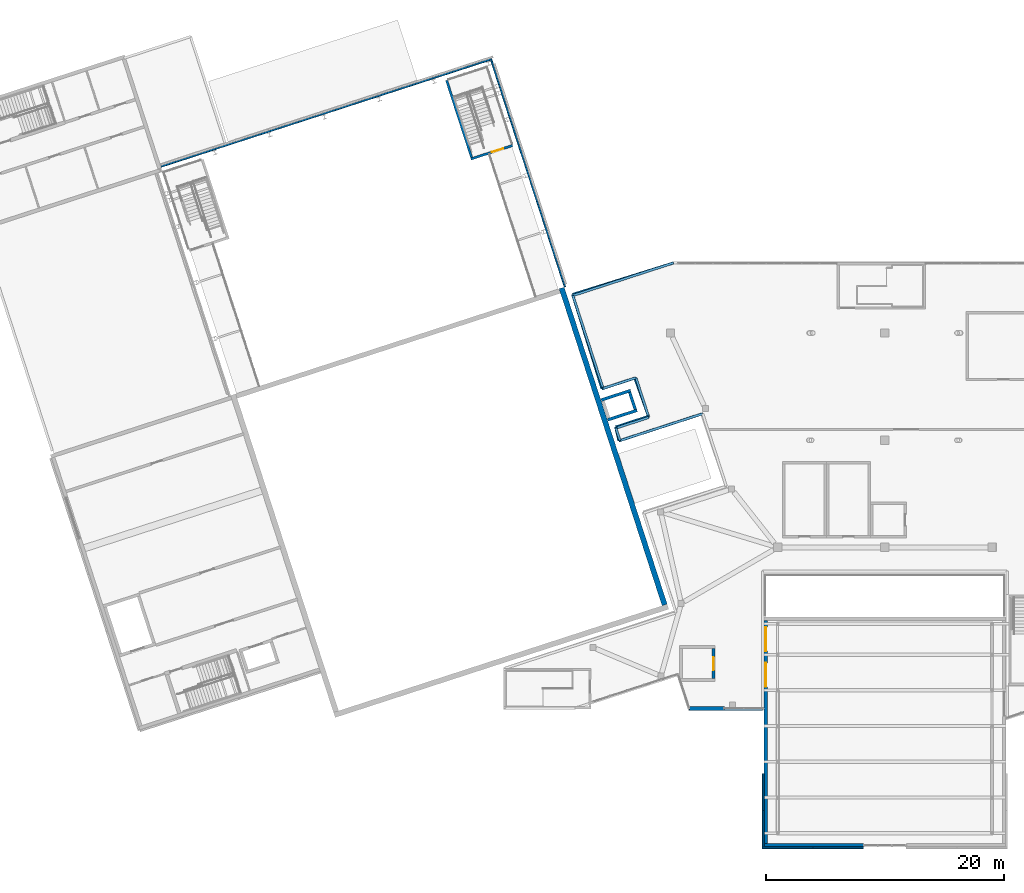
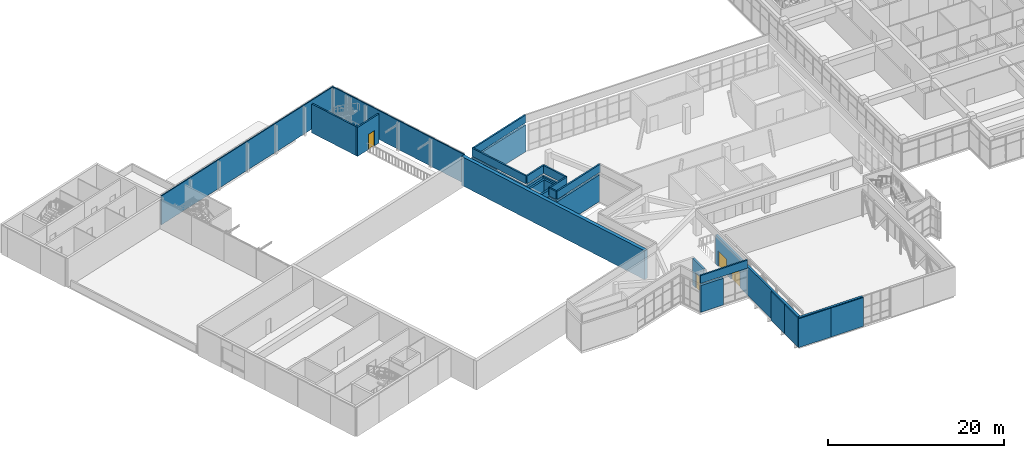
# One storey, part 62 of 72: 31 walls, 4 doors, 4 openings.
"""IFC4 building model written with IfcOpenShell, lengths in metres."""

from ifc_helpers import new_model, si_unit, direction, frame, frame_2d, origin, place, context, subcontext, project, spatial, rectangle, extrude, material, layer, layer_set, type_object, element, fill, save


model = new_model("IFC4")

# Units and contexts
model_context = context("Model", 3, precision=1e-05, world=origin(), true_north=direction((0.0, 1.0)))
body_context = subcontext(model_context, "Body", "Model", "MODEL_VIEW")
ifc_project = project(units=[si_unit("LENGTHUNIT", "METRE"), si_unit("AREAUNIT", "SQUARE_METRE"), si_unit("VOLUMEUNIT", "CUBIC_METRE"), si_unit("PLANEANGLEUNIT", "RADIAN"), si_unit("MASSUNIT", "GRAM", prefix="KILO")], contexts=[model_context])

# Site, building, storey
site_placement = place(None, origin())
site = spatial("IfcSite", under=ifc_project, at=site_placement, CompositionType="ELEMENT")
building_placement = place(site_placement, origin())
building = spatial("IfcBuilding", under=site, at=building_placement, Name="Tuart Plaza Theatre", CompositionType="ELEMENT")
storey_placement = place(building_placement, frame((0.0, 0.0, 13.5)))
storey = spatial("IfcBuildingStorey", under=building, at=storey_placement, Name="L03", CompositionType="ELEMENT", Elevation=13.5)

# Walls
ifc_material_1 = material(Name="Concrete N40 (40 MPa)", Category="concrete")
ifc_layer_1 = layer(ifc_material_1, 0.199951171875)
ifc_layer_set_1 = layer_set([ifc_layer_1], Name="PARAPET RC200 EXT")
wall_type_1 = type_object("IfcWallType", Name="PARAPET RC200 EXT", PredefinedType="PARAPET", material=ifc_layer_set_1)
wall_1_placement = place(storey_placement, frame((85.72998046875, 42.427978515625, 4.0), z_axis=(0.0, 0.0, 1.0), x_axis=(-1.0, 0.0, 0.0)))
element("IfcWall", 1, at=wall_1_placement, inside=storey, type_object=wall_type_1, Name="P58", PredefinedType="PARAPET", context=body_context, shape_type="SweptSolid", body=[
    extrude(rectangle(XDim=6.1708984375, YDim=0.199951171875, at=frame_2d((3.08544921875, 0.0))), origin(), (0.0, 0.0, 1.0), 1.10009765625),
])
wall_2_placement = place(storey_placement, frame((80.708251953125, 67.223876953125, 4.0), z_axis=(0.0, 0.0, 1.0), x_axis=(-0.951053974497, -0.309024817117, 0.0)))
element("IfcWall", 2, at=wall_2_placement, inside=storey, type_object=wall_type_1, Name="P67", PredefinedType="PARAPET", context=body_context, shape_type="SweptSolid", body=[
    extrude(rectangle(XDim=7.300048828125, YDim=0.199951171875, at=frame_2d((3.64990234375, 0.0))), origin(), (0.0, 0.0, 1.0), 1.10009765625),
])
wall_3_placement = place(storey_placement, frame((73.765625, 64.968017578125, 4.0), z_axis=(0.0, 0.0, 1.0), x_axis=(-0.308895393673, 0.951096018164, 0.0)))
element("IfcWall", 3, at=wall_3_placement, inside=storey, type_object=wall_type_1, Name="P68", PredefinedType="PARAPET", context=body_context, shape_type="SweptSolid", body=[
    extrude(rectangle(XDim=1.10009765625, YDim=0.199951171875, at=frame_2d((0.550048828125, 0.0))), origin(), (0.0, 0.0, 1.0), 1.10009765625),
])
wall_4_placement = place(storey_placement, frame((73.42578125, 66.014404296875, 4.0), z_axis=(0.0, 0.0, 1.0), x_axis=(0.951071801089, 0.308969948659, 0.0)))
element("IfcWall", 4, at=wall_4_placement, inside=storey, type_object=wall_type_1, Name="P69", PredefinedType="PARAPET", context=body_context, shape_type="SweptSolid", body=[
    extrude(rectangle(XDim=2.89990234375, YDim=0.199951171875, at=frame_2d((1.449951171875, 0.0))), origin(), (0.0, 0.0, 1.0), 1.10009765625),
])
wall_5_placement = place(storey_placement, frame((76.183837890625, 66.910400390625, 4.0), z_axis=(0.0, 0.0, 1.0), x_axis=(-0.309019824916, 0.951055596592, 0.0)))
element("IfcWall", 5, at=wall_5_placement, inside=storey, type_object=wall_type_1, Name="P70", PredefinedType="PARAPET", context=body_context, shape_type="SweptSolid", body=[
    extrude(rectangle(XDim=3.5, YDim=0.199951171875, at=frame_2d((1.75, 0.0))), origin(), (0.0, 0.0, 1.0), 1.10009765625),
])
wall_6_placement = place(storey_placement, frame((75.102294921875, 70.239013671875, 4.0), z_axis=(0.0, 0.0, 1.0), x_axis=(-0.951071801089, -0.308969948659, 0.0)))
element("IfcWall", 6, at=wall_6_placement, inside=storey, type_object=wall_type_1, Name="P71", PredefinedType="PARAPET", context=body_context, shape_type="SweptSolid", body=[
    extrude(rectangle(XDim=2.89990234375, YDim=0.199951171875, at=frame_2d((1.449951171875, 0.0))), origin(), (0.0, 0.0, 1.0), 1.10009765625),
])
wall_7_placement = place(storey_placement, frame((72.34423828125, 69.343017578125, 4.0), z_axis=(0.0, 0.0, 1.0), x_axis=(-0.309019421968, 0.951055727519, 0.0)))
element("IfcWall", 7, at=wall_7_placement, inside=storey, type_object=wall_type_1, Name="P72", PredefinedType="PARAPET", context=body_context, shape_type="SweptSolid", body=[
    extrude(rectangle(XDim=8.199951171875, YDim=0.199951171875, at=frame_2d((4.10009765625, 0.0))), origin(), (0.0, 0.0, 1.0), 1.10009765625),
])
wall_8_placement = place(storey_placement, frame((69.810302734375, 77.1416015625, 4.0), z_axis=(0.0, 0.0, 1.0), x_axis=(0.951055069375, 0.309021447501, 0.0)))
element("IfcWall", 8, at=wall_8_placement, inside=storey, type_object=wall_type_1, Name="P73", PredefinedType="PARAPET", context=body_context, shape_type="SweptSolid", body=[
    extrude(rectangle(XDim=8.884033203125, YDim=0.199951171875, at=frame_2d((4.44189453125, 0.0))), origin(), (0.0, 0.0, 1.0), 1.10009765625),
])
ifc_material_2 = material(Name="Concrete N40 (40 MPa)", Category="concrete")
ifc_layer_2 = layer(ifc_material_2, 0.25)
ifc_layer_set_2 = layer_set([ifc_layer_2], Name="SHEAR WALL RC250 FRL 120/120/120")
wall_type_2 = type_object("IfcWallType", Name="SHEAR WALL RC250 FRL 120/120/120", PredefinedType="SHEAR", material=ifc_layer_set_2)
wall_9_placement = place(storey_placement, frame((72.727294921875, 66.70751953125, 0.0), z_axis=(0.0, 0.0, 1.0), x_axis=(0.951087187149, 0.308922583248, 0.0)))
element("IfcWall", 9, at=wall_9_placement, inside=storey, type_object=wall_type_2, Name="W240", PredefinedType="SHEAR", context=body_context, shape_type="SweptSolid", body=[
    extrude(rectangle(XDim=2.60009765625, YDim=0.25, at=frame_2d((1.300048828125, 0.0))), origin(), (0.0, 0.0, 1.0), 4.0),
])
wall_10_placement = place(storey_placement, frame((75.04248046875, 67.591064453125, 0.0), z_axis=(0.0, 0.0, 1.0), x_axis=(-0.308942527062, 0.951080708969, 0.0)))
element("IfcWall", 10, at=wall_10_placement, inside=storey, type_object=wall_type_2, Name="W241", PredefinedType="SHEAR", context=body_context, shape_type="SweptSolid", body=[
    extrude(rectangle(XDim=1.5, YDim=0.25, at=frame_2d((0.75, 0.0))), origin(), (0.0, 0.0, 1.0), 4.0),
])
wall_11_placement = place(storey_placement, frame((74.659423828125, 69.17529296875, 0.0), z_axis=(0.0, 0.0, 1.0), x_axis=(-0.951059595933, -0.309007516064, 0.0)))
element("IfcWall", 11, at=wall_11_placement, inside=storey, type_object=wall_type_2, Name="W242", PredefinedType="SHEAR", context=body_context, shape_type="SweptSolid", body=[
    extrude(rectangle(XDim=2.60009765625, YDim=0.25, at=frame_2d((1.300048828125, 0.0))), origin(), (0.0, 0.0, 1.0), 4.0),
])

# Wall, opening, door
wall_12_placement = place(storey_placement, frame((81.625, 45.0, 0.0), z_axis=(0.0, 0.0, 1.0), x_axis=(0.0, 1.0, 0.0)))
wall_12 = element("IfcWall", 12, at=wall_12_placement, inside=storey, type_object=wall_type_2, Name="W288", PredefinedType="SHEAR", context=body_context, shape_type="SweptSolid", body=[
    extrude(rectangle(XDim=2.5, YDim=0.25, at=frame_2d((1.25, 0.0))), origin(), (0.0, 0.0, 1.0), 3.699951171875),
])
opening_1_placement = place(wall_12_placement, frame((0.699951171875, 0.0, 0.0)))
opening_1 = element("IfcOpeningElement", 13, at=opening_1_placement, cuts=wall_12, Name="Opening L03-003", PredefinedType="OPENING", context=body_context, shape_type="SweptSolid", body=[
    extrude(rectangle(XDim=1.10009765625, YDim=2.10009765625, at=frame_2d((0.550048828125, 1.050048828125))), frame((0.0, 0.135009765625, 0.0), z_axis=(0.0, -1.0, 0.0), x_axis=(1.0, 0.0, 0.0)), (0.0, 0.0, 1.0), 0.27001953125),
])
ifc_material_3 = material(Name="Steel Grade 300", Category="steel")
door_type_1 = type_object("IfcDoorType", Name="LANDING DOOR 1100x2100 steel sliding FRL -/120/30", OperationType="SLIDING_TO_LEFT", PredefinedType="DOOR", material=ifc_material_3)
door_1_placement = place(opening_1_placement, origin())
door_1 = element("IfcDoor", 14, at=door_1_placement, inside=storey, type_object=door_type_1, Name="L03-003", OperationType="SLIDING_TO_LEFT", OverallHeight=2.10009765625, OverallWidth=1.10009765625, PredefinedType="DOOR", context=body_context, shape_type="SweptSolid", body=[
    extrude(rectangle(XDim=1.10009765625, YDim=2.10009765625, at=frame_2d((0.550048828125, 1.050048828125))), frame((0.0, 0.02490234375, 0.0), z_axis=(0.0, -1.0, 0.0), x_axis=(1.0, 0.0, 0.0)), (0.0, 0.0, 1.0), 0.050048828125),
])
fill(opening_1, door_1)

# Wall
ifc_material_4 = material(Name="Concrete N50 (50 MPa)", Category="concrete")
ifc_layer_3 = layer(ifc_material_4, 0.449951171875)
ifc_layer_set_3 = layer_set([ifc_layer_3], Name="SHEAR WALL RC450 N50 FRL 120/120/120")
wall_type_3 = type_object("IfcWallType", Name="SHEAR WALL RC450 N50 FRL 120/120/120", PredefinedType="SHEAR", material=ifc_layer_set_3)
wall_13_placement = place(storey_placement, frame((77.51123046875, 51.175537109375, 0.0), z_axis=(0.0, 0.0, 1.0), x_axis=(-0.309018780445, 0.951055935964, 0.0)))
element("IfcWall", 15, at=wall_13_placement, inside=storey, type_object=wall_type_3, Name="W35", PredefinedType="SHEAR", context=body_context, shape_type="SweptSolid", body=[
    extrude(rectangle(XDim=27.974853515625, YDim=0.449951171875, at=frame_2d((13.9873046875, 0.0))), origin(), (0.0, 0.0, 1.0), 4.0),
])

# Wall, opening, door
ifc_material_5 = material(Name="Concrete N40 (40 MPa)", Category="concrete")
ifc_layer_4 = layer(ifc_material_5, 0.199951171875)
ifc_layer_set_4 = layer_set([ifc_layer_4], Name="WALL RC200 LB FRL 120/120/120")
wall_type_4 = type_object("IfcWallType", Name="WALL RC200 LB FRL 120/120/120", PredefinedType="SOLIDWALL", material=ifc_layer_set_4)
wall_14_placement = place(storey_placement, frame((64.743408203125, 89.74267578125, 0.0), z_axis=(0.0, 0.0, 1.0), x_axis=(-0.95104773735, -0.309044011885, 0.0)))
wall_14 = element("IfcWall", 16, at=wall_14_placement, inside=storey, type_object=wall_type_4, Name="W154", PredefinedType="SOLIDWALL", context=body_context, shape_type="SweptSolid", body=[
    extrude(rectangle(XDim=3.675048828125, YDim=0.199951171875, at=frame_2d((1.83740234375, 0.0))), origin(), (0.0, 0.0, 1.0), 4.0),
])
opening_2_placement = place(wall_14_placement, frame((0.824951171875, 0.0, 0.0)))
opening_2 = element("IfcOpeningElement", 17, at=opening_2_placement, cuts=wall_14, Name="Opening L03-018", PredefinedType="OPENING", context=body_context, shape_type="SweptSolid", body=[
    extrude(rectangle(XDim=1.0, YDim=2.10009765625, at=frame_2d((0.5, 1.050048828125))), frame((0.0, 0.10986328125, 0.0), z_axis=(0.0, -1.0, 0.0), x_axis=(1.0, 0.0, 0.0)), (0.0, 0.0, 1.0), 0.219970703125),
])
ifc_material_6 = material(Name="Timber", Category="wood")
door_type_2 = type_object("IfcDoorType", Name="DOOR 1000x2100 timber single swing FRL -/120/30", OperationType="SINGLE_SWING_LEFT", PredefinedType="DOOR", material=ifc_material_6)
door_2_placement = place(opening_2_placement, frame((1.0, 0.0, 0.0), z_axis=(0.0, 0.0, 1.0), x_axis=(-1.0, 0.0, 0.0)))
door_2 = element("IfcDoor", 18, at=door_2_placement, inside=storey, type_object=door_type_2, Name="L03-018", OperationType="SINGLE_SWING_LEFT", OverallHeight=2.10009765625, OverallWidth=1.0, PredefinedType="DOOR", context=body_context, shape_type="SweptSolid", body=[
    extrude(rectangle(XDim=1.0, YDim=2.10009765625, at=frame_2d((0.5, 1.050048828125))), frame((0.0, 0.02490234375, 0.0), z_axis=(0.0, -1.0, 0.0), x_axis=(1.0, 0.0, 0.0)), (0.0, 0.0, 1.0), 0.050048828125),
])
fill(opening_2, door_2)

# Walls
wall_15_placement = place(storey_placement, frame((61.3125, 88.73291015625, 0.0), z_axis=(0.0, 0.0, 1.0), x_axis=(-0.309028643499, 0.951052731186, 0.0)))
element("IfcWall", 19, at=wall_15_placement, inside=storey, type_object=wall_type_4, Name="W155", PredefinedType="SOLIDWALL", context=body_context, shape_type="SweptSolid", body=[
    extrude(rectangle(XDim=6.824951171875, YDim=0.199951171875, at=frame_2d((3.41259765625, 0.0))), origin(), (0.0, 0.0, 1.0), 4.0),
])
ifc_material_7 = material(Name="Concrete N40 (40 MPa)", Category="concrete")
ifc_layer_5 = layer(ifc_material_7, 0.219970703125)
ifc_layer_set_5 = layer_set([ifc_layer_5], Name="WALL RC220 FRL 120/120/120")
wall_type_5 = type_object("IfcWallType", Name="WALL RC220 FRL 120/120/120", PredefinedType="SOLIDWALL", material=ifc_layer_set_5)
wall_16_placement = place(storey_placement, frame((80.61328125, 67.193115234375, 0.0), z_axis=(0.0, 0.0, 1.0), x_axis=(-0.951057168147, -0.309014988174, 0.0)))
element("IfcWall", 20, at=wall_16_placement, inside=storey, type_object=wall_type_5, Name="P43", PredefinedType="SOLIDWALL", context=body_context, shape_type="SweptSolid", body=[
    extrude(rectangle(XDim=7.300048828125, YDim=0.219970703125, at=frame_2d((3.64990234375, 0.0))), origin(), (0.0, 0.0, 1.0), 3.699951171875),
])
wall_17_placement = place(storey_placement, frame((73.67041015625, 64.937255859375, 0.0), z_axis=(0.0, 0.0, 1.0), x_axis=(-0.228915017266, 0.973446410888, 0.0)))
element("IfcWall", 21, at=wall_17_placement, inside=storey, type_object=wall_type_5, Name="P44", PredefinedType="SOLIDWALL", context=body_context, shape_type="SweptSolid", body=[
    extrude(rectangle(XDim=1.2041015625, YDim=0.219970703125, at=frame_2d((0.60205078125, 0.0))), origin(), (0.0, 0.0, 1.0), 3.699951171875),
])
wall_18_placement = place(storey_placement, frame((73.394775390625, 66.109375, 0.0), z_axis=(0.0, 0.0, 1.0), x_axis=(0.951047059821, 0.309046096893, 0.0)))
element("IfcWall", 22, at=wall_18_placement, inside=storey, type_object=wall_type_5, Name="P45", PredefinedType="SOLIDWALL", context=body_context, shape_type="SweptSolid", body=[
    extrude(rectangle(XDim=2.89990234375, YDim=0.219970703125, at=frame_2d((1.449951171875, 0.0))), origin(), (0.0, 0.0, 1.0), 3.699951171875),
])
wall_19_placement = place(storey_placement, frame((76.15283203125, 67.005615234375, 0.0), z_axis=(0.0, 0.0, 1.0), x_axis=(-0.336845601427, 0.941559897616, 0.0)))
element("IfcWall", 23, at=wall_19_placement, inside=storey, type_object=wall_type_5, Name="P46", PredefinedType="SOLIDWALL", context=body_context, shape_type="SweptSolid", body=[
    extrude(rectangle(XDim=3.4013671875, YDim=0.219970703125, at=frame_2d((1.70068359375, 0.0))), origin(), (0.0, 0.0, 1.0), 3.699951171875),
])
wall_20_placement = place(storey_placement, frame((75.007080078125, 70.208251953125, 0.0), z_axis=(0.0, 0.0, 1.0), x_axis=(-0.951047059821, -0.309046096893, 0.0)))
element("IfcWall", 24, at=wall_20_placement, inside=storey, type_object=wall_type_5, Name="P47", PredefinedType="SOLIDWALL", context=body_context, shape_type="SweptSolid", body=[
    extrude(rectangle(XDim=2.89990234375, YDim=0.219970703125, at=frame_2d((1.449951171875, 0.0))), origin(), (0.0, 0.0, 1.0), 3.699951171875),
])
wall_21_placement = place(storey_placement, frame((72.2490234375, 69.31201171875, 0.0), z_axis=(0.0, 0.0, 1.0), x_axis=(-0.297531334915, 0.954712053314, 0.0)))
element("IfcWall", 25, at=wall_21_placement, inside=storey, type_object=wall_type_5, Name="P48", PredefinedType="SOLIDWALL", context=body_context, shape_type="SweptSolid", body=[
    extrude(rectangle(XDim=8.30078125, YDim=0.219970703125, at=frame_2d((4.150390625, 0.0))), origin(), (0.0, 0.0, 1.0), 3.699951171875),
])
wall_22_placement = place(storey_placement, frame((69.779296875, 77.23681640625, 0.0), z_axis=(0.0, 0.0, 1.0), x_axis=(0.954435963037, 0.298415804646, 0.0)))
element("IfcWall", 26, at=wall_22_placement, inside=storey, type_object=wall_type_5, Name="P49", PredefinedType="SOLIDWALL", context=body_context, shape_type="SweptSolid", body=[
    extrude(rectangle(XDim=8.884765625, YDim=0.219970703125, at=frame_2d((4.4423828125, 0.0))), origin(), (0.0, 0.0, 1.0), 3.699951171875),
])

# Wall, openings, doors
ifc_material_8 = material(Name="Concrete N40 (40 MPa)", Category="concrete")
ifc_layer_6 = layer(ifc_material_8, 0.280029296875)
ifc_layer_set_6 = layer_set([ifc_layer_6], Name="WALL RC280 FRL 120/120/120")
wall_type_6 = type_object("IfcWallType", Name="WALL RC280 FRL 120/120/120", PredefinedType="SOLIDWALL", material=ifc_layer_set_6)
wall_23_placement = place(storey_placement, frame((86.0, 49.860107421875, 0.0), z_axis=(0.0, 0.0, 1.0), x_axis=(0.0, -1.0, 0.0)))
wall_23 = element("IfcWall", 27, at=wall_23_placement, inside=storey, type_object=wall_type_6, Name="P4", PredefinedType="SOLIDWALL", context=body_context, shape_type="SweptSolid", body=[
    extrude(rectangle(XDim=18.72021484375, YDim=0.280029296875, at=frame_2d((9.360107421875, 0.0))), origin(), (0.0, 0.0, 1.0), 4.0),
])
opening_3_placement = place(wall_23_placement, frame((3.56005859375, 0.0, 0.0)))
opening_3 = element("IfcOpeningElement", 28, at=opening_3_placement, cuts=wall_23, Name="Opening L03-027", PredefinedType="OPENING", context=body_context, shape_type="SweptSolid", body=[
    extrude(rectangle(XDim=2.0, YDim=2.10009765625, at=frame_2d((1.0, 1.050048828125))), frame((0.0, 0.14990234375, 0.0), z_axis=(0.0, -1.0, 0.0), x_axis=(1.0, 0.0, 0.0)), (0.0, 0.0, 1.0), 0.300048828125),
])
opening_4_placement = place(wall_23_placement, frame((0.56005859375, 0.0, 0.0)))
opening_4 = element("IfcOpeningElement", 29, at=opening_4_placement, cuts=wall_23, Name="Opening L03-028", PredefinedType="OPENING", context=body_context, shape_type="SweptSolid", body=[
    extrude(rectangle(XDim=2.0, YDim=2.10009765625, at=frame_2d((1.0, 1.050048828125))), frame((0.0, 0.14990234375, 0.0), z_axis=(0.0, -1.0, 0.0), x_axis=(1.0, 0.0, 0.0)), (0.0, 0.0, 1.0), 0.300048828125),
])
ifc_material_9 = material(Name="Steel Grade 300", Category="steel")
door_type_3 = type_object("IfcDoorType", Name="DOOR 2000x2100 steel double swing FRL -/120/30", OperationType="DOUBLE_DOOR_SINGLE_SWING", PredefinedType="DOOR", material=ifc_material_9)
door_3_placement = place(opening_3_placement, frame((2.0, 0.0, 0.0), z_axis=(0.0, 0.0, 1.0), x_axis=(-1.0, 0.0, 0.0)))
door_3 = element("IfcDoor", 30, at=door_3_placement, inside=storey, type_object=door_type_3, Name="L03-027", OperationType="DOUBLE_DOOR_SINGLE_SWING", OverallHeight=2.10009765625, OverallWidth=2.0, PredefinedType="DOOR", context=body_context, shape_type="SweptSolid", body=[
    extrude(rectangle(XDim=2.0, YDim=2.10009765625, at=frame_2d((1.0, 1.050048828125))), frame((0.0, 0.02490234375, 0.0), z_axis=(0.0, -1.0, 0.0), x_axis=(1.0, 0.0, 0.0)), (0.0, 0.0, 1.0), 0.050048828125),
])
fill(opening_3, door_3)
door_4_placement = place(opening_4_placement, frame((2.0, 0.0, 0.0), z_axis=(0.0, 0.0, 1.0), x_axis=(-1.0, 0.0, 0.0)))
door_4 = element("IfcDoor", 31, at=door_4_placement, inside=storey, type_object=door_type_3, Name="L03-028", OperationType="DOUBLE_DOOR_SINGLE_SWING", OverallHeight=2.10009765625, OverallWidth=2.0, PredefinedType="DOOR", context=body_context, shape_type="SweptSolid", body=[
    extrude(rectangle(XDim=2.0, YDim=2.10009765625, at=frame_2d((1.0, 1.050048828125))), frame((0.0, 0.02490234375, 0.0), z_axis=(0.0, -1.0, 0.0), x_axis=(1.0, 0.0, 0.0)), (0.0, 0.0, 1.0), 0.050048828125),
])
fill(opening_4, door_4)

# Walls
wall_24_placement = place(storey_placement, frame((85.860107421875, 31.0, 0.0), z_axis=(0.0, 0.0, 1.0), x_axis=(1.0, 0.0, 0.0)))
element("IfcWall", 32, at=wall_24_placement, inside=storey, type_object=wall_type_6, Name="P5", PredefinedType="SOLIDWALL", context=body_context, shape_type="SweptSolid", body=[
    extrude(rectangle(XDim=8.33984375, YDim=0.280029296875, at=frame_2d((4.169921875, 0.0))), origin(), (0.0, 0.0, 1.0), 4.0),
])
ifc_material_10 = material(Name="Concrete N40 (40 MPa)", Category="concrete")
ifc_layer_7 = layer(ifc_material_10, 0.300048828125)
ifc_layer_set_7 = layer_set([ifc_layer_7], Name="WALL RC300 EXT")
wall_type_7 = type_object("IfcWallType", Name="WALL RC300 EXT", PredefinedType="SOLIDWALL", material=ifc_layer_set_7)
wall_25_placement = place(storey_placement, frame((79.595947265625, 42.47802734375, 0.0), z_axis=(0.0, 0.0, 1.0), x_axis=(1.0, 0.0, 0.0)))
element("IfcWall", 33, at=wall_25_placement, inside=storey, type_object=wall_type_7, Name="P36", PredefinedType="SOLIDWALL", context=body_context, shape_type="SweptSolid", body=[
    extrude(rectangle(XDim=2.941162109375, YDim=0.300048828125, at=frame_2d((1.470703125, 0.0))), origin(), (0.0, 0.0, 1.0), 3.699951171875),
])
ifc_material_11 = material(Name="Zinc")
ifc_layer_8 = layer(ifc_material_11, 0.139892578125)
ifc_layer_set_8 = layer_set([ifc_layer_8], Name="WALL ZIN140 ZINC EXT")
wall_type_8 = type_object("IfcWallType", Name="WALL ZIN140 ZINC EXT", PredefinedType="SOLIDWALL", material=ifc_layer_set_8)
wall_26_placement = place(storey_placement, frame((69.14697265625, 77.87255859375, 0.0), z_axis=(0.0, 0.0, 1.0), x_axis=(-0.309027903543, 0.951052971622, 0.0)))
element("IfcWall", 34, at=wall_26_placement, inside=storey, type_object=wall_type_8, Name="P12", PredefinedType="SOLIDWALL", context=body_context, shape_type="SweptSolid", body=[
    extrude(rectangle(XDim=20.02490234375, YDim=0.139892578125, at=frame_2d((10.012451171875, 0.0))), origin(), (0.0, 0.0, 1.0), 4.0),
])
wall_27_placement = place(storey_placement, frame((35.21875, 87.9775390625, 0.0), z_axis=(0.0, 0.0, 1.0), x_axis=(0.951055192004, 0.309021070093, 0.0)))
element("IfcWall", 35, at=wall_27_placement, inside=storey, type_object=wall_type_8, Name="P13", PredefinedType="SOLIDWALL", context=body_context, shape_type="SweptSolid", body=[
    extrude(rectangle(XDim=29.215087890625, YDim=0.139892578125, at=frame_2d((14.607421875, 0.0))), origin(), (0.0, 0.0, 1.0), 4.0),
])
for number, where, z_axis, x_axis, name in (
    (36, (85.719970703125, 30.7900390625, 0.0), (0.0, 0.0, 1.0), (1.0, 0.0, 0.0), "P77"),
    (37, (89.9599609375, 30.7900390625, 0.0), (0.0, 0.0, 1.0), (1.0, 0.0, 0.0), "P78"),
):
    element("IfcWall", number, at=place(storey_placement, frame(where, z_axis=z_axis, x_axis=x_axis)), inside=storey, type_object=wall_type_8, Name=name, PredefinedType="SOLIDWALL", context=body_context, shape_type="SweptSolid", body=[
        extrude(rectangle(XDim=4.239990234375, YDim=0.139892578125, at=frame_2d((2.1201171875, 0.0))), origin(), (0.0, 0.0, 1.0), 4.0),
    ])
wall_28_placement = place(storey_placement, frame((85.7900390625, 30.860107421875, 0.0), z_axis=(0.0, 0.0, 1.0), x_axis=(0.0, 1.0, 0.0)))
element("IfcWall", 38, at=wall_28_placement, inside=storey, type_object=wall_type_8, Name="P81", PredefinedType="SOLIDWALL", context=body_context, shape_type="SweptSolid", body=[
    extrude(rectangle(XDim=3.06982421875, YDim=0.139892578125, at=frame_2d((1.534912109375, 0.0))), origin(), (0.0, 0.0, 1.0), 4.0),
])
wall_29_placement = place(storey_placement, frame((85.7900390625, 33.929931640625, 0.0), z_axis=(0.0, 0.0, 1.0), x_axis=(0.0, 1.0, 0.0)))
element("IfcWall", 39, at=wall_29_placement, inside=storey, type_object=wall_type_8, Name="P82", PredefinedType="SOLIDWALL", context=body_context, shape_type="SweptSolid", body=[
    extrude(rectangle(XDim=3.070068359375, YDim=0.139892578125, at=frame_2d((1.53515625, 0.0))), origin(), (0.0, 0.0, 1.0), 4.0),
])

save(model, "model.ifc")
